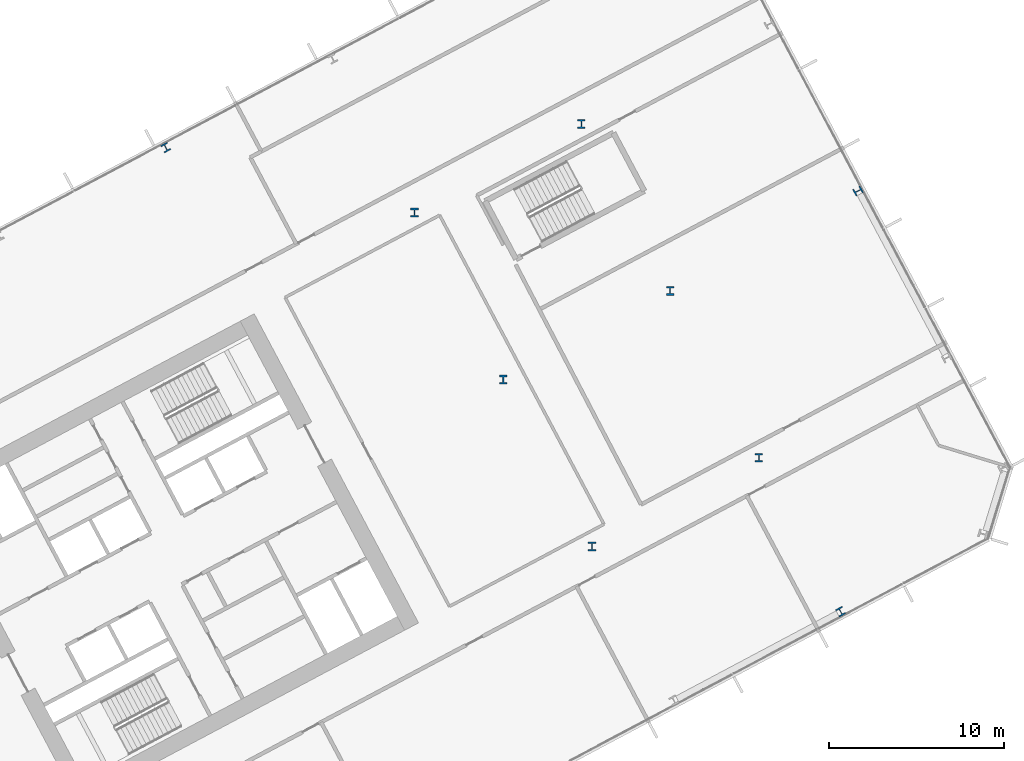
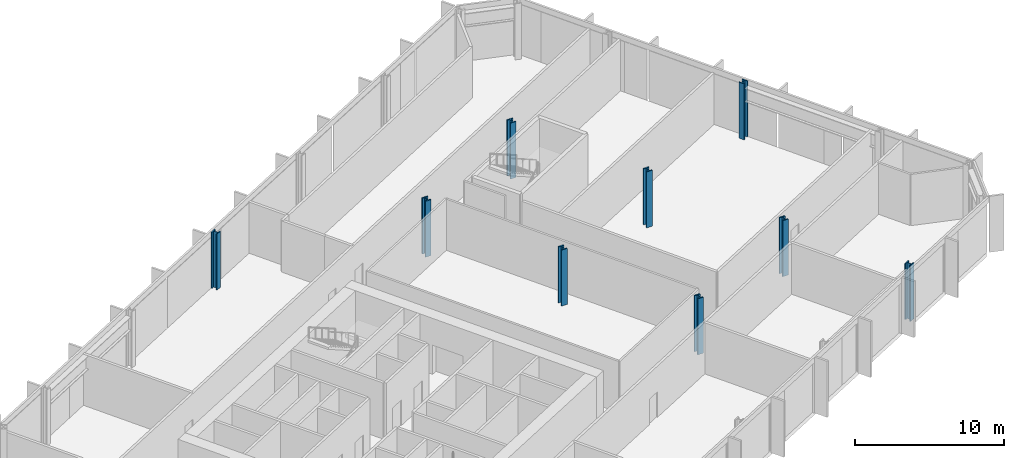
# One storey, part 4 of 32: 9 columns.
"""IFC4 building model written with IfcOpenShell, lengths in metres."""

from ifc_helpers import new_model, si_unit, direction, frame, origin, origin_2d, place, context, subcontext, project, spatial, i_section, extrude, material, material_profile, profile_set, type_object, element, save


model = new_model("IFC4")

# Units and contexts
model_context = context("Model", 3, precision=1e-05, world=origin(), true_north=direction((0.0, 1.0)))
body_context = subcontext(model_context, "Body", "Model", "MODEL_VIEW")
ifc_project = project(units=[si_unit("LENGTHUNIT", "METRE"), si_unit("AREAUNIT", "SQUARE_METRE"), si_unit("VOLUMEUNIT", "CUBIC_METRE"), si_unit("PLANEANGLEUNIT", "RADIAN"), si_unit("MASSUNIT", "GRAM", prefix="KILO")], contexts=[model_context])

# Site, building, storey
site_placement = place(None, origin())
site = spatial("IfcSite", under=ifc_project, at=site_placement, CompositionType="ELEMENT")
building_placement = place(site_placement, origin())
building = spatial("IfcBuilding", under=site, at=building_placement, Name="Cormorant Relay Tower", CompositionType="ELEMENT")
storey_placement = place(building_placement, frame((0.0, 0.0, 70.800048828125)))
storey = spatial("IfcBuildingStorey", under=building, at=storey_placement, Name="L13", CompositionType="ELEMENT", Elevation=70.800048828125)

# Columns
ifc_material_1 = material(Name="Steel ASTM A992 (Fy 345 MPa)", Category="steel")
ifc_material_profile_1 = material_profile(ifc_material_1, i_section(OverallWidth=0.42431640625, OverallDepth=0.47509765625, WebThickness=0.0478515625, FlangeThickness=0.0771484375, FilletRadius=0.014892578125, at=origin_2d()), Name="W360x634")
ifc_profile_set_1 = profile_set([ifc_material_profile_1], Name="Steel ASTM A992 (Fy 345 MPa)")
column_type_1 = type_object("IfcColumnType", Name="Column W360x634", PredefinedType="COLUMN", material=ifc_profile_set_1)
for number, where, z_axis, x_axis, name in (
    (1, (62.3701171875, 9.65087890625, 0.0), (0.0, 0.0, 1.0), (0.882947592859, 0.469471562786, 0.0), "Column L13-020"),
    (2, (63.360107421875, 33.68896484375, 0.0), (0.0, 0.0, 1.0), (-0.469471562786, 0.882947592859, 0.0), "Column L13-042"),
    (3, (23.805908203125, 36.169921875, 0.0), (0.0, 0.0, 1.0), (-0.882947592859, -0.469471562786, 0.0), "Column L13-044"),
):
    element("IfcColumn", number, at=place(storey_placement, frame(where, z_axis=z_axis, x_axis=x_axis)), inside=storey, type_object=column_type_1, Name=name, PredefinedType="COLUMN", context=body_context, shape_type="SweptSolid", body=[
        extrude(i_section(OverallWidth=0.42431640625, OverallDepth=0.47509765625, WebThickness=0.0478515625, FlangeThickness=0.0771484375, FilletRadius=0.014892578125, at=origin_2d()), origin(), (0.0, 0.0, 1.0), 4.599853515625),
    ])
ifc_material_2 = material(Name="Steel ASTM A992 (Fy 345 MPa)", Category="steel")
ifc_material_profile_2 = material_profile(ifc_material_2, i_section(OverallWidth=0.43701171875, OverallDepth=0.51318359375, WebThickness=0.060546875, FlangeThickness=0.096923828125, FilletRadius=0.015380859375, at=origin_2d()), Name="W360x818")
ifc_profile_set_2 = profile_set([ifc_material_profile_2], Name="Steel ASTM A992 (Fy 345 MPa)")
column_type_2 = type_object("IfcColumnType", Name="Column W360x818", PredefinedType="COLUMN", material=ifc_profile_set_2)
for number, where, z_axis, x_axis, name in (
    (4, (48.157958984375, 13.3740234375, 0.0), (0.0, 0.0, 1.0), (1.0, 0.0, 0.0), "Column L13-025"),
    (5, (57.694091796875, 18.445068359375, 0.0), (0.0, 0.0, 1.0), (1.0, 0.0, 0.0), "Column L13-029"),
    (6, (43.087890625, 22.909912109375, 0.0), (0.0, 0.0, 1.0), (1.0, 0.0, 0.0), "Column L13-031"),
    (7, (52.6240234375, 27.98095703125, 0.0), (0.0, 0.0, 1.0), (1.0, 0.0, 0.0), "Column L13-037"),
    (8, (38.01806640625, 32.446044921875, 0.0), (0.0, 0.0, 1.0), (1.0, 0.0, 0.0), "Column L13-040"),
    (9, (47.552978515625, 37.51611328125, 0.0), (0.0, 0.0, 1.0), (1.0, 0.0, 0.0), "Column L13-045"),
):
    element("IfcColumn", number, at=place(storey_placement, frame(where, z_axis=z_axis, x_axis=x_axis)), inside=storey, type_object=column_type_2, Name=name, PredefinedType="COLUMN", context=body_context, shape_type="SweptSolid", body=[
        extrude(i_section(OverallWidth=0.43701171875, OverallDepth=0.51318359375, WebThickness=0.060546875, FlangeThickness=0.096923828125, FilletRadius=0.015380859375, at=origin_2d()), origin(), (0.0, 0.0, 1.0), 4.599853515625),
    ])

save(model, "model.ifc")
